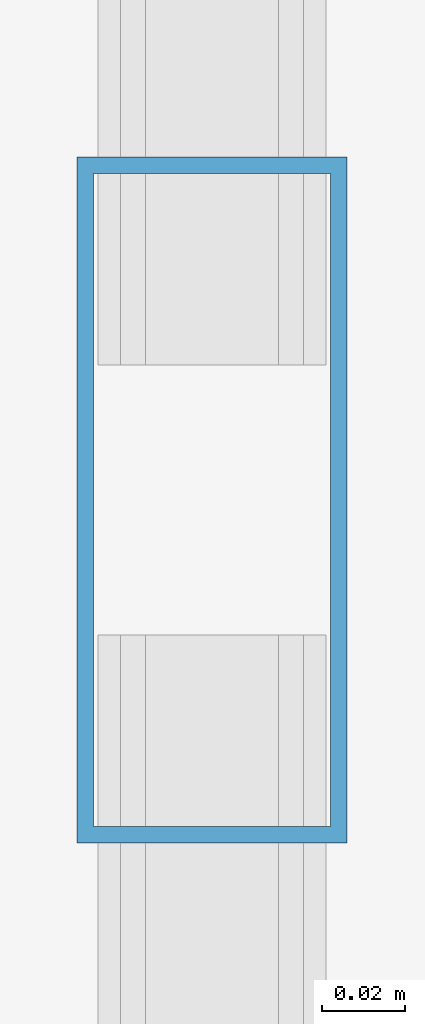
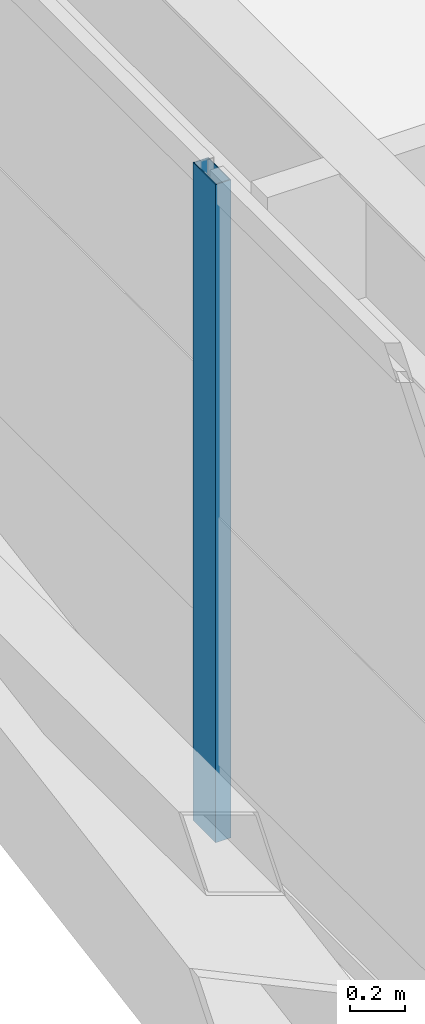
# One storey, part 8 of 58: 1 member, 1 element without a shape of its own.
"""IFC4 building model written with IfcOpenShell, lengths in metres."""

from ifc_helpers import new_model, si_unit, direction, frame, origin, origin_2d, place, context, subcontext, project, spatial, hollow_rectangle, extrude, source, transform, mapped, material, layer, layer_set, material_profile, profile_set, type_object, element, aggregate, save


model = new_model("IFC4")

# Units and contexts
model_context = context("Model", 3, precision=1e-05, world=origin(), true_north=direction((0.0, 1.0)))
body_context = subcontext(model_context, "Body", "Model", "MODEL_VIEW")
ifc_project = project(units=[si_unit("LENGTHUNIT", "METRE"), si_unit("AREAUNIT", "SQUARE_METRE"), si_unit("VOLUMEUNIT", "CUBIC_METRE"), si_unit("PLANEANGLEUNIT", "RADIAN"), si_unit("MASSUNIT", "GRAM", prefix="KILO")], contexts=[model_context])

# Site, building, storey
site_placement = place(None, origin())
site = spatial("IfcSite", under=ifc_project, at=site_placement, CompositionType="ELEMENT")
building_placement = place(site_placement, origin())
building = spatial("IfcBuilding", under=site, at=building_placement, Name="Taldren Reach Tower", CompositionType="ELEMENT")
storey_placement = place(building_placement, frame((0.0, 0.0, 35.699951171875)))
storey = spatial("IfcBuildingStorey", under=building, at=storey_placement, Name="L10", CompositionType="ELEMENT", Elevation=35.699951171875)

# Curtain wall, member
ifc_material_1 = material(Name="Aluminium and Low-E Glass Unitised System", Category="aluminium")
ifc_layer = layer(ifc_material_1, 0.159912109375)
ifc_layer_set = layer_set([ifc_layer], Name="Aluminium and Low-E Glass Unitised System")
curtain_wall_type = type_object("IfcCurtainWallType", Name="CW-SYS-2", PredefinedType="NOTDEFINED", material=ifc_layer_set)
curtain_wall_placement = place(storey_placement, origin())
curtain_wall = element("IfcCurtainWall", 1, at=curtain_wall_placement, inside=storey, type_object=curtain_wall_type, Name="Unitised curtain wall CW-L10-W", PredefinedType="NOTDEFINED")
ifc_material_2 = material(Name="Anodised Aluminium 6063-T6", Category="aluminium")
ifc_material_profile = material_profile(ifc_material_2, hollow_rectangle(XDim=0.06494140625, YDim=0.1650390625, WallThickness=0.00390625, at=origin_2d()), Name="ALU-165x65x4RHS")
ifc_profile_set = profile_set([ifc_material_profile], Name="Anodised Aluminium 6063-T6")
member_type = type_object("IfcMemberType", Name="CW-MUL-165", PredefinedType="MULLION", material=ifc_profile_set)
shared_shape = source(origin(), body_context, "Body", "SweptSolid", [
    extrude(hollow_rectangle(XDim=0.06494140625, YDim=0.1650390625, WallThickness=0.00390625, at=origin_2d()), origin(), (0.0, 0.0, 1.0), 2.929931640625),
])
member_placement = place(storey_placement, frame((5.139892578125, 11.388916015625, 0.0), z_axis=(0.0, 0.0, 1.0), x_axis=(1.0, 0.0, 0.0)))
member = element("IfcMember", 2, at=member_placement, type_object=member_type, Name="CW-2 mullion 8", PredefinedType="MULLION", context=body_context, shape_type="MappedRepresentation", body=[
    mapped(shared_shape, transform((0.0, 0.0, 0.0), scale=1.0)),
])
aggregate(curtain_wall, [member])

save(model, "model.ifc")
